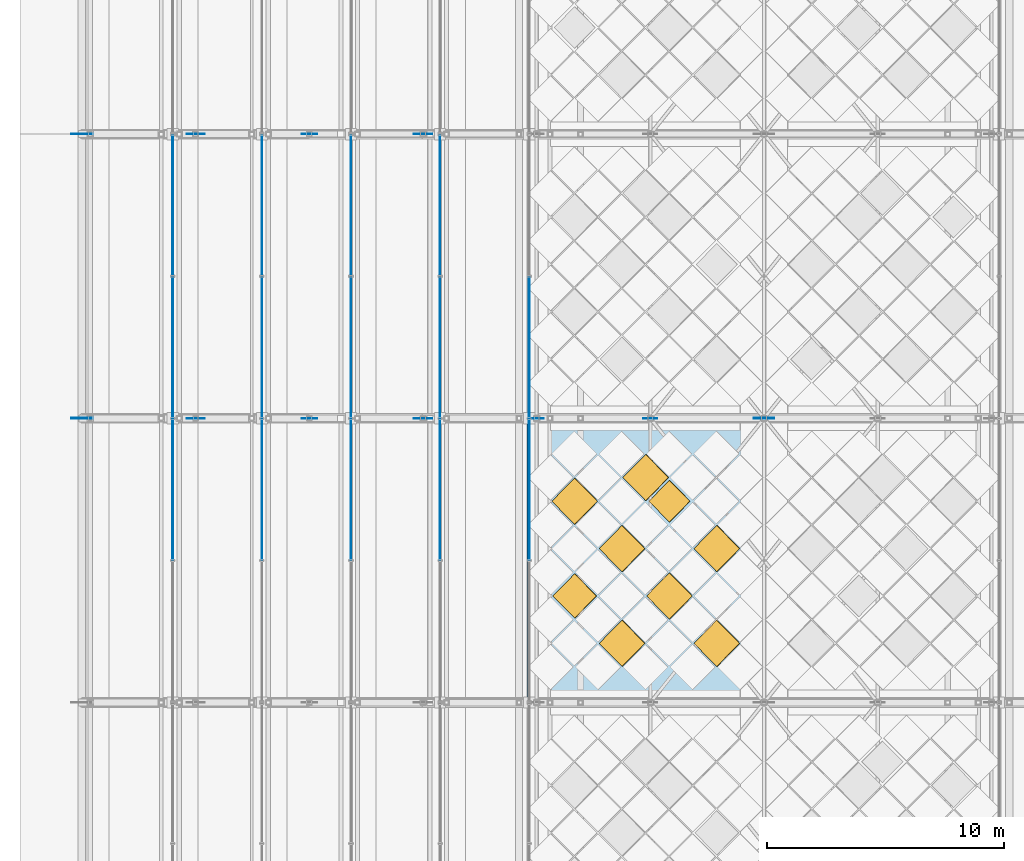
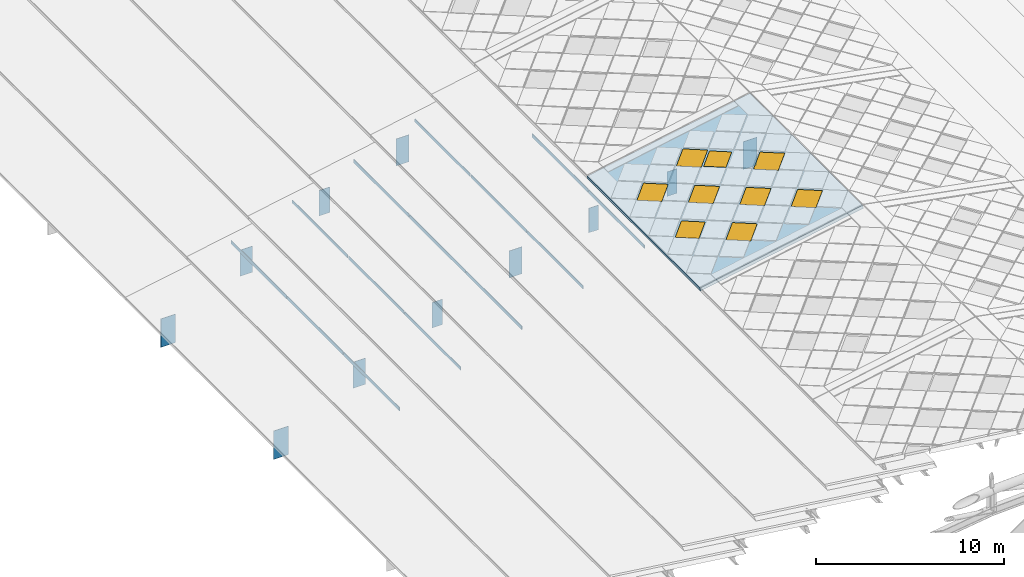
# One storey, part 89 of 117: 25 plates, 9 windows, 1 slab, 9 openings, 5 elements without a shape of their own.
"""IFC4 building model written with IfcOpenShell, lengths in metres."""

from ifc_helpers import new_model, si_unit, direction, frame, origin, origin_2d, place, context, subcontext, project, spatial, polyline, rectangle, outline, extrude, material, layer, layer_set, type_object, element, fill, aggregate, save


model = new_model("IFC4")

# Units and contexts
model_context = context("Model", 3, precision=1e-05, world=origin(), true_north=direction((0.0, 1.0)))
body_context = subcontext(model_context, "Body", "Model", "MODEL_VIEW")
ifc_project = project(units=[si_unit("LENGTHUNIT", "METRE"), si_unit("AREAUNIT", "SQUARE_METRE"), si_unit("VOLUMEUNIT", "CUBIC_METRE"), si_unit("PLANEANGLEUNIT", "RADIAN"), si_unit("MASSUNIT", "GRAM", prefix="KILO")], contexts=[model_context])

# Site, building, storey
site_placement = place(None, origin())
site = spatial("IfcSite", under=ifc_project, at=site_placement, CompositionType="ELEMENT")
building_placement = place(site_placement, origin())
building = spatial("IfcBuilding", under=site, at=building_placement, Name="Merenkruunu Market Hall", CompositionType="ELEMENT")
storey_placement = place(building_placement, frame((0.0, 0.0, 22.800048828125)))
storey = spatial("IfcBuildingStorey", under=building, at=storey_placement, Name="RF", CompositionType="ELEMENT", Elevation=22.800048828125)

# Curtain wall, plates
ifc_material_1 = material(Name="Powder-coated aluminium", Category="aluminium")
curtain_wall_type = type_object("IfcCurtainWallType", Name="Clerestory Curtain Band CL05", PredefinedType="USERDEFINED", material=ifc_material_1)
curtain_wall_1_placement = place(storey_placement, origin())
curtain_wall_1 = element("IfcCurtainWall", 1, at=curtain_wall_1_placement, inside=storey, type_object=curtain_wall_type, Name="CW-RF-CWM04-083", ObjectType="CLERESTORY_BAND", PredefinedType="USERDEFINED")
ifc_material_2 = material(Name="Triple low-E insulated glass", Category="glass")
ifc_layer_1 = layer(ifc_material_2, 0.035888671875)
ifc_layer_set_1 = layer_set([ifc_layer_1], Name="Triple low-E insulated glass")
plate_type_1 = type_object("IfcPlateType", Name="Curtain Wall Glazing Panel CWP08", PredefinedType="CURTAIN_PANEL", material=ifc_layer_set_1)
plate_1_placement = place(storey_placement, frame((3.840087890625, 48.60009765625, -6.462158203125), z_axis=(0.0, 0.0, 1.0), x_axis=(0.0, 1.0, 0.0)))
plate_1 = element("IfcPlate", 2, at=plate_1_placement, type_object=plate_type_1, Name="CL05 panel 2.1", PredefinedType="CURTAIN_PANEL", context=body_context, shape_type="SweptSolid", body=[
    extrude(rectangle(XDim=5.929931640625, YDim=0.035888671875, at=origin_2d()), origin(), (0.0, 0.0, 1.0), 0.22802734375),
])
plate_2_placement = place(storey_placement, frame((3.840087890625, 54.60009765625, -6.462158203125), z_axis=(0.0, 0.0, 1.0), x_axis=(0.0, 1.0, 0.0)))
plate_2 = element("IfcPlate", 3, at=plate_2_placement, type_object=plate_type_1, Name="CL05 panel 3.1", PredefinedType="CURTAIN_PANEL", context=body_context, shape_type="SweptSolid", body=[
    extrude(rectangle(XDim=5.929931640625, YDim=0.035888671875, at=origin_2d()), origin(), (0.0, 0.0, 1.0), 0.22802734375),
])
plate_3_placement = place(storey_placement, frame((3.840087890625, 60.58251953125, -6.462158203125), z_axis=(0.0, 0.0, 1.0), x_axis=(0.0, 1.0, 0.0)))
plate_3 = element("IfcPlate", 4, at=plate_3_placement, type_object=plate_type_1, Name="CL05 panel 4.1", PredefinedType="CURTAIN_PANEL", context=body_context, shape_type="SweptSolid", body=[
    extrude(rectangle(XDim=5.89501953125, YDim=0.035888671875, at=origin_2d()), origin(), (0.0, 0.0, 1.0), 0.22802734375),
])
aggregate(curtain_wall_1, [plate_1, plate_2, plate_3])

curtain_wall_2_placement = place(storey_placement, origin())
curtain_wall_2 = element("IfcCurtainWall", 5, at=curtain_wall_2_placement, inside=storey, type_object=curtain_wall_type, Name="CW-RF-CWM04-091", ObjectType="CLERESTORY_BAND", PredefinedType="USERDEFINED")
plate_4_placement = place(storey_placement, frame((7.60009765625, 48.60009765625, -5.14208984375), z_axis=(0.0, 0.0, 1.0), x_axis=(0.0, 1.0, 0.0)))
plate_4 = element("IfcPlate", 6, at=plate_4_placement, type_object=plate_type_1, Name="CL05 panel 2.1", PredefinedType="CURTAIN_PANEL", context=body_context, shape_type="SweptSolid", body=[
    extrude(rectangle(XDim=5.929931640625, YDim=0.035888671875, at=origin_2d()), origin(), (0.0, 0.0, 1.0), 0.20703125),
])
plate_5_placement = place(storey_placement, frame((7.60009765625, 54.60009765625, -5.14208984375), z_axis=(0.0, 0.0, 1.0), x_axis=(0.0, 1.0, 0.0)))
plate_5 = element("IfcPlate", 7, at=plate_5_placement, type_object=plate_type_1, Name="CL05 panel 3.1", PredefinedType="CURTAIN_PANEL", context=body_context, shape_type="SweptSolid", body=[
    extrude(rectangle(XDim=5.929931640625, YDim=0.035888671875, at=origin_2d()), origin(), (0.0, 0.0, 1.0), 0.20703125),
])
plate_6_placement = place(storey_placement, frame((7.60009765625, 60.58251953125, -5.14208984375), z_axis=(0.0, 0.0, 1.0), x_axis=(0.0, 1.0, 0.0)))
plate_6 = element("IfcPlate", 8, at=plate_6_placement, type_object=plate_type_1, Name="CL05 panel 4.1", PredefinedType="CURTAIN_PANEL", context=body_context, shape_type="SweptSolid", body=[
    extrude(rectangle(XDim=5.89501953125, YDim=0.035888671875, at=origin_2d()), origin(), (0.0, 0.0, 1.0), 0.20703125),
])
aggregate(curtain_wall_2, [plate_4, plate_5, plate_6])

curtain_wall_3_placement = place(storey_placement, origin())
curtain_wall_3 = element("IfcCurtainWall", 9, at=curtain_wall_3_placement, inside=storey, type_object=curtain_wall_type, Name="CW-RF-CWM04-099", ObjectType="CLERESTORY_BAND", PredefinedType="USERDEFINED")
plate_7_placement = place(storey_placement, frame((11.360107421875, 48.60009765625, -3.822021484375), z_axis=(0.0, 0.0, 1.0), x_axis=(0.0, 1.0, 0.0)))
plate_7 = element("IfcPlate", 10, at=plate_7_placement, type_object=plate_type_1, Name="CL05 panel 2.1", PredefinedType="CURTAIN_PANEL", context=body_context, shape_type="SweptSolid", body=[
    extrude(rectangle(XDim=5.929931640625, YDim=0.035888671875, at=origin_2d()), origin(), (0.0, 0.0, 1.0), 0.22802734375),
])
plate_8_placement = place(storey_placement, frame((11.360107421875, 54.60009765625, -3.822021484375), z_axis=(0.0, 0.0, 1.0), x_axis=(0.0, 1.0, 0.0)))
plate_8 = element("IfcPlate", 11, at=plate_8_placement, type_object=plate_type_1, Name="CL05 panel 3.1", PredefinedType="CURTAIN_PANEL", context=body_context, shape_type="SweptSolid", body=[
    extrude(rectangle(XDim=5.929931640625, YDim=0.035888671875, at=origin_2d()), origin(), (0.0, 0.0, 1.0), 0.22802734375),
])
plate_9_placement = place(storey_placement, frame((11.360107421875, 60.58251953125, -3.822021484375), z_axis=(0.0, 0.0, 1.0), x_axis=(0.0, 1.0, 0.0)))
plate_9 = element("IfcPlate", 12, at=plate_9_placement, type_object=plate_type_1, Name="CL05 panel 4.1", PredefinedType="CURTAIN_PANEL", context=body_context, shape_type="SweptSolid", body=[
    extrude(rectangle(XDim=5.89501953125, YDim=0.035888671875, at=origin_2d()), origin(), (0.0, 0.0, 1.0), 0.22802734375),
])
aggregate(curtain_wall_3, [plate_7, plate_8, plate_9])

curtain_wall_4_placement = place(storey_placement, origin())
curtain_wall_4 = element("IfcCurtainWall", 13, at=curtain_wall_4_placement, inside=storey, type_object=curtain_wall_type, Name="CW-RF-CWM04-107", ObjectType="CLERESTORY_BAND", PredefinedType="USERDEFINED")
plate_10_placement = place(storey_placement, frame((15.1201171875, 48.60009765625, -2.501953125), z_axis=(0.0, 0.0, 1.0), x_axis=(0.0, 1.0, 0.0)))
plate_10 = element("IfcPlate", 14, at=plate_10_placement, type_object=plate_type_1, Name="CL05 panel 2.1", PredefinedType="CURTAIN_PANEL", context=body_context, shape_type="SweptSolid", body=[
    extrude(rectangle(XDim=5.929931640625, YDim=0.035888671875, at=origin_2d()), origin(), (0.0, 0.0, 1.0), 0.20703125),
])
plate_11_placement = place(storey_placement, frame((15.1201171875, 54.60009765625, -2.501953125), z_axis=(0.0, 0.0, 1.0), x_axis=(0.0, 1.0, 0.0)))
plate_11 = element("IfcPlate", 15, at=plate_11_placement, type_object=plate_type_1, Name="CL05 panel 3.1", PredefinedType="CURTAIN_PANEL", context=body_context, shape_type="SweptSolid", body=[
    extrude(rectangle(XDim=5.929931640625, YDim=0.035888671875, at=origin_2d()), origin(), (0.0, 0.0, 1.0), 0.20703125),
])
plate_12_placement = place(storey_placement, frame((15.1201171875, 60.58251953125, -2.501953125), z_axis=(0.0, 0.0, 1.0), x_axis=(0.0, 1.0, 0.0)))
plate_12 = element("IfcPlate", 16, at=plate_12_placement, type_object=plate_type_1, Name="CL05 panel 4.1", PredefinedType="CURTAIN_PANEL", context=body_context, shape_type="SweptSolid", body=[
    extrude(rectangle(XDim=5.89501953125, YDim=0.035888671875, at=origin_2d()), origin(), (0.0, 0.0, 1.0), 0.20703125),
])
aggregate(curtain_wall_4, [plate_10, plate_11, plate_12])

curtain_wall_5_placement = place(storey_placement, origin())
curtain_wall_5 = element("IfcCurtainWall", 17, at=curtain_wall_5_placement, inside=storey, type_object=curtain_wall_type, Name="CW-RF-CWM04-115", ObjectType="CLERESTORY_BAND", PredefinedType="USERDEFINED")
plate_13_placement = place(storey_placement, frame((18.8798828125, 48.60009765625, -1.18212890625), z_axis=(0.0, 0.0, 1.0), x_axis=(0.0, 1.0, 0.0)))
plate_13 = element("IfcPlate", 18, at=plate_13_placement, type_object=plate_type_1, Name="CL05 panel 2.1", PredefinedType="CURTAIN_PANEL", context=body_context, shape_type="SweptSolid", body=[
    extrude(rectangle(XDim=5.929931640625, YDim=0.035888671875, at=origin_2d()), origin(), (0.0, 0.0, 1.0), 0.22802734375),
])
plate_14_placement = place(storey_placement, frame((18.8798828125, 54.60009765625, -1.18212890625), z_axis=(0.0, 0.0, 1.0), x_axis=(0.0, 1.0, 0.0)))
plate_14 = element("IfcPlate", 19, at=plate_14_placement, type_object=plate_type_1, Name="CL05 panel 3.1", PredefinedType="CURTAIN_PANEL", context=body_context, shape_type="SweptSolid", body=[
    extrude(rectangle(XDim=5.929931640625, YDim=0.035888671875, at=origin_2d()), origin(), (0.0, 0.0, 1.0), 0.22802734375),
])
aggregate(curtain_wall_5, [plate_13, plate_14])

# Slab, openings, windows
ifc_material_3 = material(Name="High-albedo white roof Steel S355ML", Category="steel")
ifc_layer_2 = layer(ifc_material_3, 0.199951171875)
ifc_layer_set_2 = layer_set([ifc_layer_2], Name="High-albedo white roof Steel S355ML")
slab_type = type_object("IfcSlabType", Name="Sloped Or Flat Roof Deck RS01", PredefinedType="ROOF", material=ifc_layer_set_2)
slab_placement = place(storey_placement, frame((18.800048828125, 39.60009765625, -0.080078125), z_axis=(-0.184775267092, 0.0, 0.98278079991), x_axis=(0.98278079991, 0.0, 0.184775267092)))
slab = element("IfcSlab", 20, at=slab_placement, inside=storey, type_object=slab_type, Name="SL-ROOF-V1-CROWN-W-03", PredefinedType="ROOF", context=body_context, shape_type="SweptSolid", body=[
    extrude(outline(polyline([(0.0, 0.0), (10.175208959027184, 0.0), (10.175208959027184, 12.0), (0.0, 12.0), (0.0, 0.0)])), origin(), (0.0, 0.0, -1.0), 0.199951171875),
])
opening_1_placement = place(slab_placement, frame((8.14013671875, 2.5, 0.0), z_axis=(0.0, 0.0, 1.0), x_axis=(0.707106781187, 0.707106781187, 0.0)))
opening_1 = element("IfcOpeningElement", 21, at=opening_1_placement, cuts=slab, Name="Opening SK01", PredefinedType="OPENING", context=body_context, shape_type="SweptSolid", body=[
    extrude(rectangle(XDim=1.3798828125, YDim=1.3798828125, at=origin_2d()), frame((0.0, 0.0, 0.014892578125), z_axis=(0.0, 0.0, -1.0), x_axis=(1.0, 0.0, 0.0)), (0.0, 0.0, 1.0), 0.229736328125),
])
opening_2_placement = place(slab_placement, frame((8.14013671875, 6.5, 0.0), z_axis=(0.0, 0.0, 1.0), x_axis=(0.707106781187, 0.707106781187, 0.0)))
opening_2 = element("IfcOpeningElement", 22, at=opening_2_placement, cuts=slab, Name="Opening SK01", PredefinedType="OPENING", context=body_context, shape_type="SweptSolid", body=[
    extrude(rectangle(XDim=1.3798828125, YDim=1.3798828125, at=origin_2d()), frame((0.0, 0.0, 0.014892578125), z_axis=(0.0, 0.0, -1.0), x_axis=(1.0, 0.0, 0.0)), (0.0, 0.0, 1.0), 0.229736328125),
])
opening_3_placement = place(slab_placement, frame((6.10498046875, 4.5, -0.000244140625), z_axis=(0.0, 0.0, 1.0), x_axis=(0.707106781187, 0.707106781187, 0.0)))
opening_3 = element("IfcOpeningElement", 23, at=opening_3_placement, cuts=slab, Name="Opening SK01", PredefinedType="OPENING", context=body_context, shape_type="SweptSolid", body=[
    extrude(rectangle(XDim=1.3798828125, YDim=1.3798828125, at=origin_2d()), frame((0.0, 0.0, 0.014892578125), z_axis=(0.0, 0.0, -1.0), x_axis=(1.0, 0.0, 0.0)), (0.0, 0.0, 1.0), 0.229736328125),
])
opening_4_placement = place(slab_placement, frame((6.10498046875, 8.5, -0.000244140625), z_axis=(0.0, 0.0, 1.0), x_axis=(0.707106781187, 0.707106781187, 0.0)))
opening_4 = element("IfcOpeningElement", 24, at=opening_4_placement, cuts=slab, Name="Opening SK03", PredefinedType="OPENING", context=body_context, shape_type="SweptSolid", body=[
    extrude(rectangle(XDim=1.239990234375, YDim=1.239990234375, at=origin_2d()), frame((0.0, 0.0, 0.014892578125), z_axis=(0.0, 0.0, -1.0), x_axis=(1.0, 0.0, 0.0)), (0.0, 0.0, 1.0), 0.229736328125),
])
opening_5_placement = place(slab_placement, frame((5.087646484375, 9.5, 0.0), z_axis=(0.0, 0.0, 1.0), x_axis=(0.707106781187, 0.707106781187, 0.0)))
opening_5 = element("IfcOpeningElement", 25, at=opening_5_placement, cuts=slab, Name="Opening SK01", PredefinedType="OPENING", context=body_context, shape_type="SweptSolid", body=[
    extrude(rectangle(XDim=1.3798828125, YDim=1.3798828125, at=origin_2d()), frame((0.0, 0.0, 0.014892578125), z_axis=(0.0, 0.0, -1.0), x_axis=(1.0, 0.0, 0.0)), (0.0, 0.0, 1.0), 0.229736328125),
])
opening_6_placement = place(slab_placement, frame((4.070068359375, 2.5, 0.0), z_axis=(0.0, 0.0, 1.0), x_axis=(0.707106781187, 0.707106781187, 0.0)))
opening_6 = element("IfcOpeningElement", 26, at=opening_6_placement, cuts=slab, Name="Opening SK01", PredefinedType="OPENING", context=body_context, shape_type="SweptSolid", body=[
    extrude(rectangle(XDim=1.3798828125, YDim=1.3798828125, at=origin_2d()), frame((0.0, 0.0, 0.014892578125), z_axis=(0.0, 0.0, -1.0), x_axis=(1.0, 0.0, 0.0)), (0.0, 0.0, 1.0), 0.229736328125),
])
opening_7_placement = place(slab_placement, frame((4.070068359375, 6.5, 0.0), z_axis=(0.0, 0.0, 1.0), x_axis=(0.707106781187, 0.707106781187, 0.0)))
opening_7 = element("IfcOpeningElement", 27, at=opening_7_placement, cuts=slab, Name="Opening SK01", PredefinedType="OPENING", context=body_context, shape_type="SweptSolid", body=[
    extrude(rectangle(XDim=1.3798828125, YDim=1.3798828125, at=origin_2d()), frame((0.0, 0.0, 0.014892578125), z_axis=(0.0, 0.0, -1.0), x_axis=(1.0, 0.0, 0.0)), (0.0, 0.0, 1.0), 0.229736328125),
])
opening_8_placement = place(slab_placement, frame((2.034912109375, 4.5, 0.0), z_axis=(0.0, 0.0, 1.0), x_axis=(0.707106781187, 0.707106781187, 0.0)))
opening_8 = element("IfcOpeningElement", 28, at=opening_8_placement, cuts=slab, Name="Opening SK02", PredefinedType="OPENING", context=body_context, shape_type="SweptSolid", body=[
    extrude(rectangle(XDim=1.320068359375, YDim=1.320068359375, at=origin_2d()), frame((0.0, 0.0, 0.014892578125), z_axis=(0.0, 0.0, -1.0), x_axis=(1.0, 0.0, 0.0)), (0.0, 0.0, 1.0), 0.229736328125),
])
opening_9_placement = place(slab_placement, frame((2.034912109375, 8.5, 0.0), z_axis=(0.0, 0.0, 1.0), x_axis=(0.707106781187, 0.707106781187, 0.0)))
opening_9 = element("IfcOpeningElement", 29, at=opening_9_placement, cuts=slab, Name="Opening SK01", PredefinedType="OPENING", context=body_context, shape_type="SweptSolid", body=[
    extrude(rectangle(XDim=1.3798828125, YDim=1.3798828125, at=origin_2d()), frame((0.0, 0.0, 0.014892578125), z_axis=(0.0, 0.0, -1.0), x_axis=(1.0, 0.0, 0.0)), (0.0, 0.0, 1.0), 0.229736328125),
])
ifc_material_4 = material(Name="Diamond skylight blue triple glass", Category="glass")
ifc_layer_3 = layer(ifc_material_4, 0.094970703125)
ifc_layer_set_3 = layer_set([ifc_layer_3], Name="Diamond skylight blue triple glass")
window_type_1 = type_object("IfcWindowType", Name="Diamond Roof Skylight SK01", PartitioningType="SINGLE_PANEL", PredefinedType="SKYLIGHT", material=ifc_layer_set_3)
window_1_placement = place(opening_1_placement, origin())
window_1 = element("IfcWindow", 30, at=window_1_placement, inside=storey, type_object=window_type_1, Name="SKY-CROWN-037", OverallHeight=1.3798828125, OverallWidth=1.3798828125, PartitioningType="SINGLE_PANEL", PredefinedType="SKYLIGHT", context=body_context, shape_type="SweptSolid", body=[
    extrude(rectangle(XDim=1.3798828125, YDim=1.3798828125, at=origin_2d()), frame((0.0, 0.0, 0.0), z_axis=(0.0, 0.0, -1.0), x_axis=(1.0, 0.0, 0.0)), (0.0, 0.0, 1.0), 0.094970703125),
])
fill(opening_1, window_1)
window_2_placement = place(opening_2_placement, origin())
window_2 = element("IfcWindow", 31, at=window_2_placement, inside=storey, type_object=window_type_1, Name="SKY-CROWN-038", OverallHeight=1.3798828125, OverallWidth=1.3798828125, PartitioningType="SINGLE_PANEL", PredefinedType="SKYLIGHT", context=body_context, shape_type="SweptSolid", body=[
    extrude(rectangle(XDim=1.3798828125, YDim=1.3798828125, at=origin_2d()), frame((0.0, 0.0, 0.0), z_axis=(0.0, 0.0, -1.0), x_axis=(1.0, 0.0, 0.0)), (0.0, 0.0, 1.0), 0.094970703125),
])
fill(opening_2, window_2)
window_3_placement = place(opening_3_placement, origin())
window_3 = element("IfcWindow", 32, at=window_3_placement, inside=storey, type_object=window_type_1, Name="SKY-CROWN-039", OverallHeight=1.3798828125, OverallWidth=1.3798828125, PartitioningType="SINGLE_PANEL", PredefinedType="SKYLIGHT", context=body_context, shape_type="SweptSolid", body=[
    extrude(rectangle(XDim=1.3798828125, YDim=1.3798828125, at=origin_2d()), frame((0.0, 0.0, 0.0), z_axis=(0.0, 0.0, -1.0), x_axis=(1.0, 0.0, 0.0)), (0.0, 0.0, 1.0), 0.094970703125),
])
fill(opening_3, window_3)
window_4_placement = place(opening_5_placement, origin())
window_4 = element("IfcWindow", 33, at=window_4_placement, inside=storey, type_object=window_type_1, Name="SKY-CROWN-041", OverallHeight=1.3798828125, OverallWidth=1.3798828125, PartitioningType="SINGLE_PANEL", PredefinedType="SKYLIGHT", context=body_context, shape_type="SweptSolid", body=[
    extrude(rectangle(XDim=1.3798828125, YDim=1.3798828125, at=origin_2d()), frame((0.0, 0.0, 0.0), z_axis=(0.0, 0.0, -1.0), x_axis=(1.0, 0.0, 0.0)), (0.0, 0.0, 1.0), 0.094970703125),
])
fill(opening_5, window_4)
window_5_placement = place(opening_6_placement, origin())
window_5 = element("IfcWindow", 34, at=window_5_placement, inside=storey, type_object=window_type_1, Name="SKY-CROWN-042", OverallHeight=1.3798828125, OverallWidth=1.3798828125, PartitioningType="SINGLE_PANEL", PredefinedType="SKYLIGHT", context=body_context, shape_type="SweptSolid", body=[
    extrude(rectangle(XDim=1.3798828125, YDim=1.3798828125, at=origin_2d()), frame((0.0, 0.0, 0.0), z_axis=(0.0, 0.0, -1.0), x_axis=(1.0, 0.0, 0.0)), (0.0, 0.0, 1.0), 0.094970703125),
])
fill(opening_6, window_5)
window_6_placement = place(opening_7_placement, origin())
window_6 = element("IfcWindow", 35, at=window_6_placement, inside=storey, type_object=window_type_1, Name="SKY-CROWN-043", OverallHeight=1.3798828125, OverallWidth=1.3798828125, PartitioningType="SINGLE_PANEL", PredefinedType="SKYLIGHT", context=body_context, shape_type="SweptSolid", body=[
    extrude(rectangle(XDim=1.3798828125, YDim=1.3798828125, at=origin_2d()), frame((0.0, 0.0, 0.0), z_axis=(0.0, 0.0, -1.0), x_axis=(1.0, 0.0, 0.0)), (0.0, 0.0, 1.0), 0.094970703125),
])
fill(opening_7, window_6)
window_7_placement = place(opening_9_placement, origin())
window_7 = element("IfcWindow", 36, at=window_7_placement, inside=storey, type_object=window_type_1, Name="SKY-CROWN-045", OverallHeight=1.3798828125, OverallWidth=1.3798828125, PartitioningType="SINGLE_PANEL", PredefinedType="SKYLIGHT", context=body_context, shape_type="SweptSolid", body=[
    extrude(rectangle(XDim=1.3798828125, YDim=1.3798828125, at=origin_2d()), frame((0.0, 0.0, 0.0), z_axis=(0.0, 0.0, -1.0), x_axis=(1.0, 0.0, 0.0)), (0.0, 0.0, 1.0), 0.094970703125),
])
fill(opening_9, window_7)
ifc_layer_4 = layer(ifc_material_4, 0.094970703125)
ifc_layer_set_4 = layer_set([ifc_layer_4], Name="Diamond skylight blue triple glass")
window_type_2 = type_object("IfcWindowType", Name="Diamond Roof Skylight SK02", PartitioningType="SINGLE_PANEL", PredefinedType="SKYLIGHT", material=ifc_layer_set_4)
window_8_placement = place(opening_8_placement, origin())
window_8 = element("IfcWindow", 37, at=window_8_placement, inside=storey, type_object=window_type_2, Name="SKY-CROWN-044", OverallHeight=1.320068359375, OverallWidth=1.320068359375, PartitioningType="SINGLE_PANEL", PredefinedType="SKYLIGHT", context=body_context, shape_type="SweptSolid", body=[
    extrude(rectangle(XDim=1.320068359375, YDim=1.320068359375, at=origin_2d()), frame((0.0, 0.0, 0.0), z_axis=(0.0, 0.0, -1.0), x_axis=(1.0, 0.0, 0.0)), (0.0, 0.0, 1.0), 0.094970703125),
])
fill(opening_8, window_8)
ifc_layer_5 = layer(ifc_material_4, 0.094970703125)
ifc_layer_set_5 = layer_set([ifc_layer_5], Name="Diamond skylight blue triple glass")
window_type_3 = type_object("IfcWindowType", Name="Roof Smoke Vent Skylight SK03", PartitioningType="SINGLE_PANEL", PredefinedType="SKYLIGHT", material=ifc_layer_set_5)
window_9_placement = place(opening_4_placement, origin())
window_9 = element("IfcWindow", 38, at=window_9_placement, inside=storey, type_object=window_type_3, Name="SKY-CROWN-040", OverallHeight=1.239990234375, OverallWidth=1.239990234375, PartitioningType="SINGLE_PANEL", PredefinedType="SKYLIGHT", context=body_context, shape_type="SweptSolid", body=[
    extrude(rectangle(XDim=1.239990234375, YDim=1.239990234375, at=origin_2d()), frame((0.0, 0.0, 0.0), z_axis=(0.0, 0.0, -1.0), x_axis=(1.0, 0.0, 0.0)), (0.0, 0.0, 1.0), 0.094970703125),
])
fill(opening_4, window_9)

# Plates
ifc_material_5 = material(Name="Steel S355ML", Category="steel")
ifc_layer_6 = layer(ifc_material_5, 0.030029296875)
ifc_layer_set_6 = layer_set([ifc_layer_6], Name="Steel S355ML")
plate_type_2 = type_object("IfcPlateType", Name="Truss Gusset Or Cap Plate TN01", PredefinedType="USERDEFINED", material=ifc_layer_set_6)
for number, where, z_axis, x_axis, name in (
    (39, (0.0, 51.60009765625, -11.72509765625), (0.0, 0.0, 1.0), (1.0, 0.0, 0.0), "PLT-AT-4-NODE-00"),
    (40, (0.0, 63.60009765625, -11.72509765625), (0.0, 0.0, 1.0), (1.0, 0.0, 0.0), "PLT-AT-5-NODE-00"),
):
    element("IfcPlate", number, at=place(storey_placement, frame(where, z_axis=z_axis, x_axis=x_axis)), inside=storey, type_object=plate_type_2, Name=name, ObjectType="GUSSET_PLATE", PredefinedType="USERDEFINED", context=body_context, shape_type="SweptSolid", body=[
        extrude(rectangle(XDim=0.89990234375, YDim=0.030029296875, at=origin_2d()), origin(), (0.0, 0.0, 1.0), 1.85009765625),
    ])
ifc_layer_7 = layer(ifc_material_5, 0.02490234375)
ifc_layer_set_7 = layer_set([ifc_layer_7], Name="Steel S355ML")
plate_type_3 = type_object("IfcPlateType", Name="Truss Gusset Or Cap Plate TN02", PredefinedType="USERDEFINED", material=ifc_layer_set_7)
for number, where, z_axis, x_axis, name in (
    (41, (4.800048828125, 51.60009765625, -8.81591796875), (0.0, 0.0, 1.0), (1.0, 0.0, 0.0), "PLT-AT-4-NODE-01"),
    (42, (4.800048828125, 63.60009765625, -8.81591796875), (0.0, 0.0, 1.0), (1.0, 0.0, 0.0), "PLT-AT-5-NODE-01"),
):
    element("IfcPlate", number, at=place(storey_placement, frame(where, z_axis=z_axis, x_axis=x_axis)), inside=storey, type_object=plate_type_3, Name=name, ObjectType="GUSSET_PLATE", PredefinedType="USERDEFINED", context=body_context, shape_type="SweptSolid", body=[
        extrude(rectangle(XDim=0.75, YDim=0.02490234375, at=origin_2d()), origin(), (0.0, 0.0, 1.0), 1.699951171875),
    ])
ifc_layer_8 = layer(ifc_material_5, 0.02490234375)
ifc_layer_set_8 = layer_set([ifc_layer_8], Name="Steel S355ML")
plate_type_4 = type_object("IfcPlateType", Name="Truss Gusset Or Cap Plate TN03", PredefinedType="USERDEFINED", material=ifc_layer_set_8)
for number, where, z_axis, x_axis, name in (
    (43, (9.60009765625, 51.60009765625, -6.595947265625), (0.0, 0.0, 1.0), (1.0, 0.0, 0.0), "PLT-AT-4-NODE-02"),
    (44, (9.60009765625, 63.60009765625, -6.595947265625), (0.0, 0.0, 1.0), (1.0, 0.0, 0.0), "PLT-AT-5-NODE-02"),
):
    element("IfcPlate", number, at=place(storey_placement, frame(where, z_axis=z_axis, x_axis=x_axis)), inside=storey, type_object=plate_type_4, Name=name, ObjectType="GUSSET_PLATE", PredefinedType="USERDEFINED", context=body_context, shape_type="SweptSolid", body=[
        extrude(rectangle(XDim=0.64990234375, YDim=0.02490234375, at=origin_2d()), origin(), (0.0, 0.0, 1.0), 1.64990234375),
    ])
ifc_layer_9 = layer(ifc_material_5, 0.028076171875)
ifc_layer_set_9 = layer_set([ifc_layer_9], Name="Steel S355ML")
plate_type_5 = type_object("IfcPlateType", Name="Truss Gusset Or Cap Plate TN04", PredefinedType="USERDEFINED", material=ifc_layer_set_9)
for number, where, z_axis, x_axis, name in (
    (45, (14.39990234375, 51.60009765625, -5.005126953125), (0.0, 0.0, 1.0), (1.0, 0.0, 0.0), "PLT-AT-4-NODE-03"),
    (46, (14.39990234375, 63.60009765625, -5.005126953125), (0.0, 0.0, 1.0), (1.0, 0.0, 0.0), "PLT-AT-5-NODE-03"),
):
    element("IfcPlate", number, at=place(storey_placement, frame(where, z_axis=z_axis, x_axis=x_axis)), inside=storey, type_object=plate_type_5, Name=name, ObjectType="GUSSET_PLATE", PredefinedType="USERDEFINED", context=body_context, shape_type="SweptSolid", body=[
        extrude(rectangle(XDim=0.800048828125, YDim=0.028076171875, at=origin_2d()), origin(), (0.0, 0.0, 1.0), 1.75),
    ])
ifc_layer_10 = layer(ifc_material_5, 0.02197265625)
ifc_layer_set_10 = layer_set([ifc_layer_10], Name="Steel S355ML")
plate_type_6 = type_object("IfcPlateType", Name="Truss Gusset Or Cap Plate TN05", PredefinedType="USERDEFINED", material=ifc_layer_set_10)
for number, where, z_axis, x_axis, name in (
    (47, (19.199951171875, 51.60009765625, -3.7900390625), (0.0, 0.0, 1.0), (1.0, 0.0, 0.0), "PLT-AT-4-NODE-04"),
    (48, (24.0, 51.60009765625, -3.1181640625), (0.0, 0.0, 1.0), (1.0, 0.0, 0.0), "PLT-AT-4-NODE-05"),
):
    element("IfcPlate", number, at=place(storey_placement, frame(where, z_axis=z_axis, x_axis=x_axis)), inside=storey, type_object=plate_type_6, Name=name, ObjectType="GUSSET_PLATE", PredefinedType="USERDEFINED", context=body_context, shape_type="SweptSolid", body=[
        extrude(rectangle(XDim=0.60009765625, YDim=0.02197265625, at=origin_2d()), origin(), (0.0, 0.0, 1.0), 1.60009765625),
    ])
ifc_layer_11 = layer(ifc_material_5, 0.031982421875)
ifc_layer_set_11 = layer_set([ifc_layer_11], Name="Steel S355ML")
plate_type_7 = type_object("IfcPlateType", Name="Truss Gusset Or Cap Plate TN06", PredefinedType="USERDEFINED", material=ifc_layer_set_11)
plate_15_placement = place(storey_placement, frame((28.800048828125, 51.60009765625, -2.99609375), z_axis=(0.0, 0.0, 1.0), x_axis=(1.0, 0.0, 0.0)))
element("IfcPlate", 49, at=plate_15_placement, inside=storey, type_object=plate_type_7, Name="PLT-AT-4-NODE-06", ObjectType="GUSSET_PLATE", PredefinedType="USERDEFINED", context=body_context, shape_type="SweptSolid", body=[
    extrude(rectangle(XDim=0.85009765625, YDim=0.031982421875, at=origin_2d()), origin(), (0.0, 0.0, 1.0), 1.800048828125),
])

save(model, "model.ifc")
